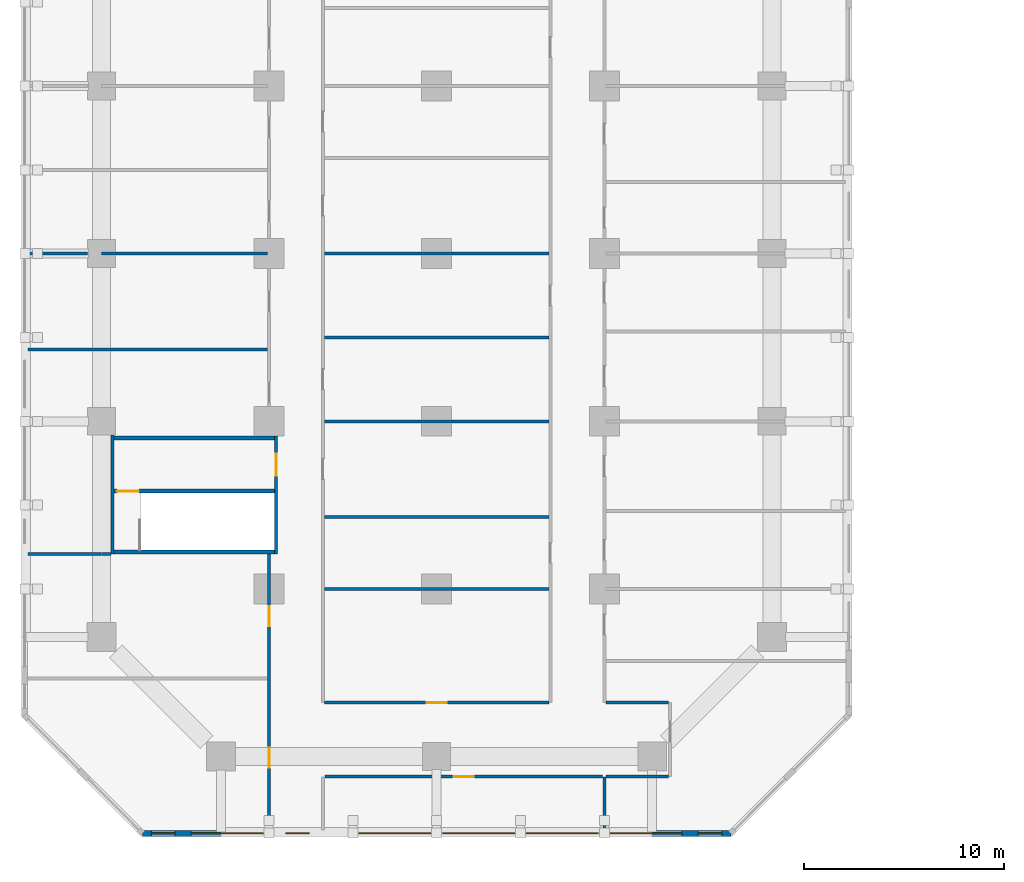
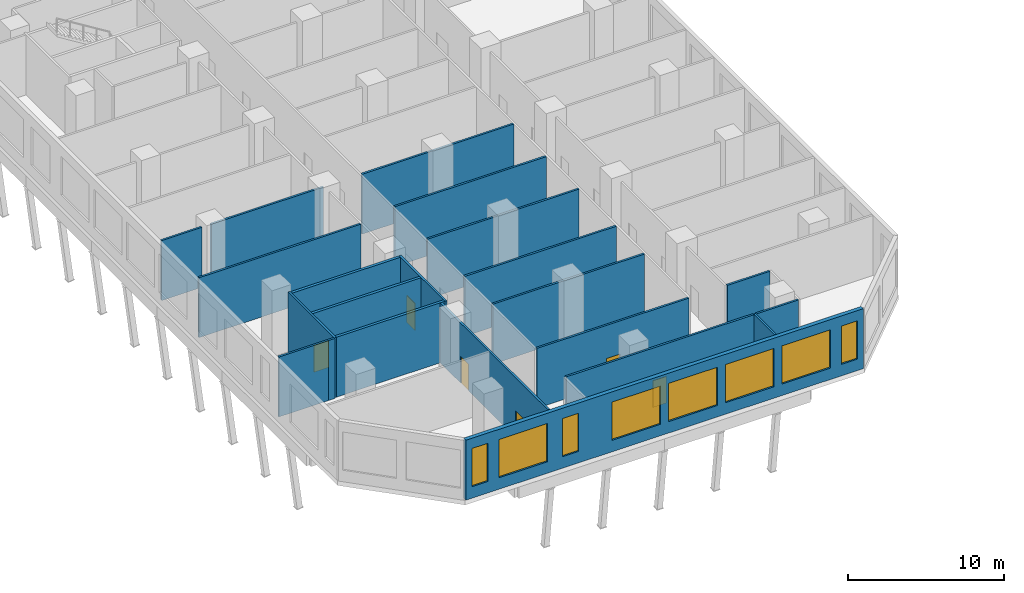
# One storey, part 4 of 25: 22 walls, 8 windows, 6 doors, 14 openings.
"""IFC4 building model written with IfcOpenShell, lengths in metres."""

import ifcopenshell
import ifcopenshell.guid

model = None  # the IFC model being written
_history = None  # IfcOwnerHistory: only IFC2X3 demands one
_inside = {}  # id of a spatial element -> (the spatial element, [elements in it])
_under = {}  # id of a project, library or spatial element -> (it, [spatial elements below it])
_declared = {}  # id of a project -> (the project, [libraries it declares])
_typed = {}  # id of a type object -> (the type object, [elements of that type])
_made_of = {}  # id of a material, layer set ... -> (it, [elements and type objects made of it])


def new_model(schema):
    """Start an empty IFC model of exactly this schema.

    Asked for "IFC4X3", IfcOpenShell would pick the latest addendum, in which some entities
    have other attributes; the version numbers below select the first issue.
    IFC2X3 requires an IfcOwnerHistory on every rooted entity: one is made here for all.
    """
    global model, _history
    if schema == "IFC4X3":
        model = ifcopenshell.file(schema_version=(4, 3, 0, 0))
    else:
        model = ifcopenshell.file(schema=schema)
    _inside.clear()
    _under.clear()
    _declared.clear()
    _typed.clear()
    _made_of.clear()
    _history = None
    if model.schema == "IFC2X3":
        org = make("IfcOrganization", Name="unknown")
        user = make(
            "IfcPersonAndOrganization",
            ThePerson=make("IfcPerson", FamilyName="unknown"),
            TheOrganization=org,
        )
        app = make(
            "IfcApplication",
            ApplicationDeveloper=org,
            Version="unknown",
            ApplicationFullName="unknown",
            ApplicationIdentifier="unknown",
        )
        _history = make(
            "IfcOwnerHistory",
            OwningUser=user,
            OwningApplication=app,
            ChangeAction="ADDED",
            CreationDate=0,
        )
    return model


def make(cls, **values):
    """One entity of the class cls with the attributes given. An attribute that is None is left unset."""
    return model.create_entity(
        cls, **{name: value for name, value in values.items() if value is not None}
    )


def rooted(cls, **values):
    """An entity with a GlobalId (a new one), such as an element, a storey or a relation."""
    return make(cls, GlobalId=ifcopenshell.guid.new(), OwnerHistory=_history, **values)


def si_unit(unit_type, name, prefix=None):
    """IfcSIUnit, for example si_unit("LENGTHUNIT", "METRE", prefix="MILLI")."""
    return make("IfcSIUnit", UnitType=unit_type, Prefix=prefix, Name=name)


def assignment(units):
    """IfcUnitAssignment: the units of a project."""
    return None if units is None else make("IfcUnitAssignment", Units=units)


def point(xyz):
    """IfcCartesianPoint."""
    return None if xyz is None else make("IfcCartesianPoint", Coordinates=xyz)


def direction(xyz):
    """IfcDirection."""
    return None if xyz is None else make("IfcDirection", DirectionRatios=xyz)


def frame(location, z_axis=None, x_axis=None):
    """IfcAxis2Placement3D, a coordinate frame: its origin and axes. An axis left out is left unset."""
    return make(
        "IfcAxis2Placement3D",
        Location=point(location),
        Axis=direction(z_axis),
        RefDirection=direction(x_axis),
    )


def frame_2d(location, x_axis=None):
    """IfcAxis2Placement2D, a coordinate frame in the plane: its origin and x axis."""
    return make(
        "IfcAxis2Placement2D", Location=point(location), RefDirection=direction(x_axis)
    )


def origin():
    """The frame at (0, 0, 0) with its axes left unset."""
    return frame((0.0, 0.0, 0.0))


def place(relative_to, where):
    """IfcLocalPlacement: puts the frame where relative to a parent placement (None: the world)."""
    return make(
        "IfcLocalPlacement", PlacementRelTo=relative_to, RelativePlacement=where
    )


def context(
    kind, dimensions, precision=None, world=None, true_north=None, identifier=None
):
    """IfcGeometricRepresentationContext, for example the 3D "Model" context."""
    return make(
        "IfcGeometricRepresentationContext",
        ContextIdentifier=identifier,
        ContextType=kind,
        CoordinateSpaceDimension=dimensions,
        Precision=precision,
        WorldCoordinateSystem=world,
        TrueNorth=true_north,
    )


def subcontext(parent, identifier, kind, view, scale=None):
    """IfcGeometricRepresentationSubContext, for example "Body" below "Model"."""
    return make(
        "IfcGeometricRepresentationSubContext",
        ContextIdentifier=identifier,
        ContextType=kind,
        ParentContext=parent,
        TargetScale=scale,
        TargetView=view,
    )


def project(units=None, contexts=None):
    """IfcProject with its units and contexts."""
    return rooted(
        "IfcProject",
        Name="project",
        RepresentationContexts=contexts,
        UnitsInContext=assignment(units),
    )


def spatial(cls, under=None, at=None, **own):
    """A site, building, storey or space (cls), placed at a placement, below another one or the project."""
    s = rooted(cls, ObjectPlacement=at, **own)
    if under is not None:
        _under.setdefault(under.id(), (under, []))[1].append(s)
    return s


def profile(cls, at=None, kind="AREA", **sizes):
    """A parametric profile (cls). Its sizes go by their IFC names, for example OverallWidth=200.0."""
    return make(cls, ProfileType=kind, Position=at, **sizes)


def rectangle(**sizes):
    """IfcRectangleProfileDef."""
    return profile("IfcRectangleProfileDef", **sizes)


def extrude(swept, where, along, depth):
    """IfcExtrudedAreaSolid: the profile swept, set in the frame where, extruded along a direction by depth."""
    return make(
        "IfcExtrudedAreaSolid",
        SweptArea=swept,
        Position=where,
        ExtrudedDirection=direction(along),
        Depth=depth,
    )


def shape(context_of_items, identifier, shape_type, items):
    """IfcShapeRepresentation: the items that make up one representation, for example the "Body"."""
    return make(
        "IfcShapeRepresentation",
        ContextOfItems=context_of_items,
        RepresentationIdentifier=identifier,
        RepresentationType=shape_type,
        Items=items,
    )


def material(Name=None, Category=None):
    """IfcMaterial."""
    return make("IfcMaterial", Name=Name, Category=Category)


def layer(
    of_material, thickness, ventilated=None, Name=None, Category=None, Priority=None
):
    """IfcMaterialLayer: one layer of a wall or slab, of a material (None: an air gap)."""
    return make(
        "IfcMaterialLayer",
        Material=of_material,
        LayerThickness=thickness,
        IsVentilated=ventilated,
        Name=Name,
        Category=Category,
        Priority=Priority,
    )


def layer_set(layers, Name=None):
    """IfcMaterialLayerSet."""
    return make("IfcMaterialLayerSet", MaterialLayers=layers, LayerSetName=Name)


def made_of(thing, what):
    """Note that an element or type object is made of a material, layer set ...; save() writes the relation."""
    if what is not None:
        _made_of.setdefault(what.id(), (what, []))[1].append(thing)
    return thing


def type_object(cls, material=None, **own):
    """A type object (cls), such as IfcWallType, which elements share."""
    return made_of(rooted(cls, **own), material)


def element(
    cls,
    number,
    at=None,
    inside=None,
    cuts=None,
    type_object=None,
    material=None,
    context=None,
    identifier="Body",
    shape_type=None,
    held_by="IfcProductDefinitionShape",
    body=None,
    shapes=None,
    **own,
):
    """One element of the class cls, such as IfcWall. Its Tag is "e" and its number.

    at: its placement. inside: the storey or other place that contains it. cuts: it is an
    opening in that element (IfcRelVoidsElement). A single representation is given by context,
    identifier, shape_type and body (its items); several are given by shapes. held_by: the class
    of the entity that holds the representations. save() writes the other relations.
    """
    e = rooted(cls, Tag="e%d" % number, ObjectPlacement=at, **own)
    if body is not None:
        shapes = [shape(context, identifier, shape_type, body)]
    if shapes is not None:
        e.Representation = make(held_by, Representations=shapes)
    if inside is not None:
        _inside.setdefault(inside.id(), (inside, []))[1].append(e)
    if cuts is not None:
        rooted(
            "IfcRelVoidsElement", RelatingBuildingElement=cuts, RelatedOpeningElement=e
        )
    if type_object is not None:
        _typed.setdefault(type_object.id(), (type_object, []))[1].append(e)
    return made_of(e, material)


def fill(opening, filler):
    """IfcRelFillsElement: the door or window that sits in an opening."""
    return rooted(
        "IfcRelFillsElement",
        RelatingOpeningElement=opening,
        RelatedBuildingElement=filler,
    )


def aggregate(whole, parts):
    """IfcRelAggregates: a whole, such as a stair, and the parts it consists of."""
    return rooted("IfcRelAggregates", RelatingObject=whole, RelatedObjects=parts)


def save(model, path):
    """Write the relations noted so far, then the file.

    IfcRelAggregates (storeys below a building ...), IfcRelContainedInSpatialStructure (elements
    in a storey), IfcRelDefinesByType, IfcRelAssociatesMaterial and IfcRelDeclares: one each for
    every whole, place, type object, material and project.
    """
    for whole, parts in _under.values():
        aggregate(whole, parts)
    for where, things in _inside.values():
        rooted(
            "IfcRelContainedInSpatialStructure",
            RelatedElements=things,
            RelatingStructure=where,
        )
    for kind, things in _typed.values():
        rooted("IfcRelDefinesByType", RelatedObjects=things, RelatingType=kind)
    for what, things in _made_of.values():
        rooted("IfcRelAssociatesMaterial", RelatedObjects=things, RelatingMaterial=what)
    for by, libraries in _declared.values():
        rooted("IfcRelDeclares", RelatingContext=by, RelatedDefinitions=libraries)
    model.write(path)


model = new_model("IFC4")

# Units and contexts
model_context = context("Model", 3, precision=1e-05, world=origin(), true_north=direction((0.0, 1.0)))
body_context = subcontext(model_context, "Body", "Model", "MODEL_VIEW")
ifc_project = project(units=[si_unit("LENGTHUNIT", "METRE"), si_unit("AREAUNIT", "SQUARE_METRE"), si_unit("VOLUMEUNIT", "CUBIC_METRE"), si_unit("PLANEANGLEUNIT", "RADIAN"), si_unit("MASSUNIT", "GRAM", prefix="KILO")], contexts=[model_context])

# Site, building, storey
site_placement = place(None, origin())
site = spatial("IfcSite", under=ifc_project, at=site_placement, CompositionType="ELEMENT")
building_placement = place(site_placement, origin())
building = spatial("IfcBuilding", under=site, at=building_placement, Name="Kawkab Arch Medical Tower", CompositionType="ELEMENT")
storey_placement = place(building_placement, frame((0.0, 0.0, 29.0)))
storey = spatial("IfcBuildingStorey", under=building, at=storey_placement, Name="L06", CompositionType="ELEMENT", Elevation=29.0)

# Wall, opening, door
ifc_material_1 = material(Name="Gypsum board partition on steel studs, mineral wool", Category="steel")
ifc_layer_1 = layer(ifc_material_1, 0.14990234375)
ifc_layer_set_1 = layer_set([ifc_layer_1], Name="Gypsum board partition on steel studs, mineral wool")
wall_type_1 = type_object("IfcWallType", Name="Partition 150", PredefinedType="PARTITIONING", material=ifc_layer_set_1)
wall_1_placement = place(storey_placement, frame((11.195068359375, -85.0, 0.0), z_axis=(0.0, 0.0, 1.0), x_axis=(1.0, 0.0, 0.0)))
wall_1 = element("IfcWall", 1, at=wall_1_placement, inside=storey, type_object=wall_type_1, Name="Partition 150 w002", PredefinedType="PARTITIONING", context=body_context, shape_type="SweptSolid", body=[
    extrude(rectangle(XDim=13.909912109375, YDim=0.14990234375, at=frame_2d((6.955078125, 0.0))), origin(), (0.0, 0.0, 1.0), 4.699951171875),
])
opening_1_placement = place(wall_1_placement, frame((6.455078125, 0.0, 0.0)))
opening_1 = element("IfcOpeningElement", 2, at=opening_1_placement, cuts=wall_1, Name="Opening P06-074", PredefinedType="OPENING", context=body_context, shape_type="SweptSolid", body=[
    extrude(rectangle(XDim=1.0, YDim=2.10009765625, at=frame_2d((0.5, 1.050048828125))), frame((0.0, 0.0849609375, 0.0), z_axis=(0.0, -1.0, 0.0), x_axis=(1.0, 0.0, 0.0)), (0.0, 0.0, 1.0), 0.169921875),
])
ifc_material_2 = material(Name="Hollow metal door leaf")
door_type_1 = type_object("IfcDoorType", Name="Single door 1000x2100 FD30S", OperationType="NOTDEFINED", PredefinedType="DOOR", material=ifc_material_2)
door_1_placement = place(opening_1_placement, origin())
door_1 = element("IfcDoor", 3, at=door_1_placement, inside=storey, type_object=door_type_1, Name="Door P06-074", OperationType="SINGLE_SWING_RIGHT", OverallHeight=2.10009765625, OverallWidth=1.0, PredefinedType="DOOR", context=body_context, shape_type="SweptSolid", body=[
    extrude(rectangle(XDim=1.0, YDim=2.10009765625, at=frame_2d((0.5, 1.050048828125))), frame((0.0, 0.02490234375, 0.0), z_axis=(0.0, -1.0, 0.0), x_axis=(1.0, 0.0, 0.0)), (0.0, 0.0, 1.0), 0.050048828125),
])
fill(opening_1, door_1)

# Wall
wall_2_placement = place(storey_placement, frame((25.27490234375, -85.0, 0.0), z_axis=(0.0, 0.0, 1.0), x_axis=(1.0, 0.0, 0.0)))
element("IfcWall", 4, at=wall_2_placement, inside=storey, type_object=wall_type_1, Name="Partition 150 w003", PredefinedType="PARTITIONING", context=body_context, shape_type="SweptSolid", body=[
    extrude(rectangle(XDim=3.150146484375, YDim=0.14990234375, at=frame_2d((1.5751953125, 0.0))), origin(), (0.0, 0.0, 1.0), 4.699951171875),
])

# Wall, opening, door
wall_3_placement = place(storey_placement, frame((11.175048828125, -81.300048828125, 0.0), z_axis=(0.0, 0.0, 1.0), x_axis=(1.0, 0.0, 0.0)))
wall_3 = element("IfcWall", 5, at=wall_3_placement, inside=storey, type_object=wall_type_1, Name="Partition 150 w004", PredefinedType="PARTITIONING", context=body_context, shape_type="SweptSolid", body=[
    extrude(rectangle(XDim=11.25, YDim=0.14990234375, at=frame_2d((5.625, 0.0))), origin(), (0.0, 0.0, 1.0), 4.699951171875),
])
opening_2_placement = place(wall_3_placement, frame((5.125, 0.0, 0.0)))
opening_2 = element("IfcOpeningElement", 6, at=opening_2_placement, cuts=wall_3, Name="Opening P06-064", PredefinedType="OPENING", context=body_context, shape_type="SweptSolid", body=[
    extrude(rectangle(XDim=1.0, YDim=2.10009765625, at=frame_2d((0.5, 1.050048828125))), frame((0.0, 0.0849609375, 0.0), z_axis=(0.0, -1.0, 0.0), x_axis=(1.0, 0.0, 0.0)), (0.0, 0.0, 1.0), 0.169921875),
])
door_2_placement = place(opening_2_placement, origin())
door_2 = element("IfcDoor", 7, at=door_2_placement, inside=storey, type_object=door_type_1, Name="Door P06-064", OperationType="SINGLE_SWING_RIGHT", OverallHeight=2.10009765625, OverallWidth=1.0, PredefinedType="DOOR", context=body_context, shape_type="SweptSolid", body=[
    extrude(rectangle(XDim=1.0, YDim=2.10009765625, at=frame_2d((0.5, 1.050048828125))), frame((0.0, 0.02490234375, 0.0), z_axis=(0.0, -1.0, 0.0), x_axis=(1.0, 0.0, 0.0)), (0.0, 0.0, 1.0), 0.050048828125),
])
fill(opening_2, door_2)

# Walls
wall_4_placement = place(storey_placement, frame((25.27490234375, -81.300048828125, 0.0), z_axis=(0.0, 0.0, 1.0), x_axis=(1.0, 0.0, 0.0)))
element("IfcWall", 8, at=wall_4_placement, inside=storey, type_object=wall_type_1, Name="Partition 150 w005", PredefinedType="PARTITIONING", context=body_context, shape_type="SweptSolid", body=[
    extrude(rectangle(XDim=3.150146484375, YDim=0.14990234375, at=frame_2d((1.5751953125, 0.0))), origin(), (0.0, 0.0, 1.0), 4.699951171875),
])
wall_5_placement = place(storey_placement, frame((11.175048828125, -75.60009765625, 0.0), z_axis=(0.0, 0.0, 1.0), x_axis=(1.0, 0.0, 0.0)))
element("IfcWall", 9, at=wall_5_placement, inside=storey, type_object=wall_type_1, Name="Partition 150 w008", PredefinedType="PARTITIONING", context=body_context, shape_type="SweptSolid", body=[
    extrude(rectangle(XDim=11.25, YDim=0.14990234375, at=frame_2d((5.625, 0.0))), origin(), (0.0, 0.0, 1.0), 4.699951171875),
])
wall_6_placement = place(storey_placement, frame((-3.679931640625, -73.85009765625, 0.0), z_axis=(0.0, 0.0, 1.0), x_axis=(1.0, 0.0, 0.0)))
element("IfcWall", 10, at=wall_6_placement, inside=storey, type_object=wall_type_1, Name="Partition 150 w010", PredefinedType="PARTITIONING", context=body_context, shape_type="SweptSolid", body=[
    extrude(rectangle(XDim=3.659912109375, YDim=0.14990234375, at=frame_2d((1.830078125, 0.0))), origin(), (0.0, 0.0, 1.0), 4.699951171875),
])
wall_7_placement = place(storey_placement, frame((0.0, -73.85009765625, 0.0), z_axis=(0.0, 0.0, 1.0), x_axis=(1.0, 0.0, 0.0)))
element("IfcWall", 11, at=wall_7_placement, inside=storey, type_object=wall_type_1, Name="Partition 150 w011", PredefinedType="PARTITIONING", context=body_context, shape_type="SweptSolid", body=[
    extrude(rectangle(XDim=0.472900390625, YDim=0.14990234375, at=frame_2d((0.236328125, 0.0))), origin(), (0.0, 0.0, 1.0), 4.699951171875),
])
for number, where, z_axis, x_axis, name in (
    (12, (11.175048828125, -72.0, 0.0), (0.0, 0.0, 1.0), (1.0, 0.0, 0.0), "Partition 150 w012"),
    (13, (11.175048828125, -67.199951171875, 0.0), (0.0, 0.0, 1.0), (1.0, 0.0, 0.0), "Partition 150 w014"),
):
    element("IfcWall", number, at=place(storey_placement, frame(where, z_axis=z_axis, x_axis=x_axis)), inside=storey, type_object=wall_type_1, Name=name, PredefinedType="PARTITIONING", context=body_context, shape_type="SweptSolid", body=[
        extrude(rectangle(XDim=11.25, YDim=0.14990234375, at=frame_2d((5.625, 0.0))), origin(), (0.0, 0.0, 1.0), 4.699951171875),
    ])
wall_8_placement = place(storey_placement, frame((-3.679931640625, -63.60009765625, 0.0), z_axis=(0.0, 0.0, 1.0), x_axis=(1.0, 0.0, 0.0)))
element("IfcWall", 14, at=wall_8_placement, inside=storey, type_object=wall_type_1, Name="Partition 150 w016", PredefinedType="PARTITIONING", context=body_context, shape_type="SweptSolid", body=[
    extrude(rectangle(XDim=12.0048828125, YDim=0.14990234375, at=frame_2d((6.00244140625, 0.0))), origin(), (0.0, 0.0, 1.0), 4.699951171875),
])
wall_9_placement = place(storey_placement, frame((11.175048828125, -63.0, 0.0), z_axis=(0.0, 0.0, 1.0), x_axis=(1.0, 0.0, 0.0)))
element("IfcWall", 15, at=wall_9_placement, inside=storey, type_object=wall_type_1, Name="Partition 150 w017", PredefinedType="PARTITIONING", context=body_context, shape_type="SweptSolid", body=[
    extrude(rectangle(XDim=11.25, YDim=0.14990234375, at=frame_2d((5.625, 0.0))), origin(), (0.0, 0.0, 1.0), 4.699951171875),
])
wall_10_placement = place(storey_placement, frame((-3.679931640625, -58.800048828125, 0.0), z_axis=(0.0, 0.0, 1.0), x_axis=(1.0, 0.0, 0.0)))
element("IfcWall", 16, at=wall_10_placement, inside=storey, type_object=wall_type_1, Name="Partition 150 w019", PredefinedType="PARTITIONING", context=body_context, shape_type="SweptSolid", body=[
    extrude(rectangle(XDim=2.97998046875, YDim=0.14990234375, at=frame_2d((1.489990234375, 0.0))), origin(), (0.0, 0.0, 1.0), 4.699951171875),
])
wall_11_placement = place(storey_placement, frame((0.001953125, -58.800048828125, 0.0), z_axis=(0.0, 0.0, 1.0), x_axis=(1.0, 0.0, 0.0)))
element("IfcWall", 17, at=wall_11_placement, inside=storey, type_object=wall_type_1, Name="Partition 150 w020", PredefinedType="PARTITIONING", context=body_context, shape_type="SweptSolid", body=[
    extrude(rectangle(XDim=8.322998046875, YDim=0.14990234375, at=frame_2d((4.16162109375, 0.0))), origin(), (0.0, 0.0, 1.0), 4.699951171875),
])
wall_12_placement = place(storey_placement, frame((11.175048828125, -58.800048828125, 0.0), z_axis=(0.0, 0.0, 1.0), x_axis=(1.0, 0.0, 0.0)))
element("IfcWall", 18, at=wall_12_placement, inside=storey, type_object=wall_type_1, Name="Partition 150 w021", PredefinedType="PARTITIONING", context=body_context, shape_type="SweptSolid", body=[
    extrude(rectangle(XDim=11.25, YDim=0.14990234375, at=frame_2d((5.625, 0.0))), origin(), (0.0, 0.0, 1.0), 4.699951171875),
])

# Wall, openings, doors
wall_13_placement = place(storey_placement, frame((8.39990234375, -87.679931640625, 0.0), z_axis=(0.0, 0.0, 1.0), x_axis=(0.0, 1.0, 0.0)))
wall_13 = element("IfcWall", 19, at=wall_13_placement, inside=storey, type_object=wall_type_1, Name="Partition 150 w061", PredefinedType="PARTITIONING", context=body_context, shape_type="SweptSolid", body=[
    extrude(rectangle(XDim=13.829833984375, YDim=0.14990234375, at=frame_2d((6.9150390625, 0.0))), origin(), (0.0, 0.0, 1.0), 4.699951171875),
])
opening_3_placement = place(wall_13_placement, frame((10.205078125, 0.0, 0.0)))
opening_3 = element("IfcOpeningElement", 20, at=opening_3_placement, cuts=wall_13, Name="Opening P06-052", PredefinedType="OPENING", context=body_context, shape_type="SweptSolid", body=[
    extrude(rectangle(XDim=1.0, YDim=2.10009765625, at=frame_2d((0.5, 1.050048828125))), frame((0.0, 0.0849609375, 0.0), z_axis=(0.0, -1.0, 0.0), x_axis=(1.0, 0.0, 0.0)), (0.0, 0.0, 1.0), 0.169921875),
])
opening_4_placement = place(wall_13_placement, frame((3.1298828125, 0.0, 0.0)))
opening_4 = element("IfcOpeningElement", 21, at=opening_4_placement, cuts=wall_13, Name="Opening P06-053", PredefinedType="OPENING", context=body_context, shape_type="SweptSolid", body=[
    extrude(rectangle(XDim=1.0, YDim=2.10009765625, at=frame_2d((0.5, 1.050048828125))), frame((0.0, 0.0849609375, 0.0), z_axis=(0.0, -1.0, 0.0), x_axis=(1.0, 0.0, 0.0)), (0.0, 0.0, 1.0), 0.169921875),
])
door_3_placement = place(opening_3_placement, origin())
door_3 = element("IfcDoor", 22, at=door_3_placement, inside=storey, type_object=door_type_1, Name="Door P06-052", OperationType="SINGLE_SWING_RIGHT", OverallHeight=2.10009765625, OverallWidth=1.0, PredefinedType="DOOR", context=body_context, shape_type="SweptSolid", body=[
    extrude(rectangle(XDim=1.0, YDim=2.10009765625, at=frame_2d((0.5, 1.050048828125))), frame((0.0, 0.02490234375, 0.0), z_axis=(0.0, -1.0, 0.0), x_axis=(1.0, 0.0, 0.0)), (0.0, 0.0, 1.0), 0.050048828125),
])
fill(opening_3, door_3)
door_4_placement = place(opening_4_placement, origin())
door_4 = element("IfcDoor", 23, at=door_4_placement, inside=storey, type_object=door_type_1, Name="Door P06-053", OperationType="SINGLE_SWING_LEFT", OverallHeight=2.10009765625, OverallWidth=1.0, PredefinedType="DOOR", context=body_context, shape_type="SweptSolid", body=[
    extrude(rectangle(XDim=1.0, YDim=2.10009765625, at=frame_2d((0.5, 1.050048828125))), frame((0.0, 0.02490234375, 0.0), z_axis=(0.0, -1.0, 0.0), x_axis=(1.0, 0.0, 0.0)), (0.0, 0.0, 1.0), 0.050048828125),
])
fill(opening_4, door_4)

# Wall
wall_14_placement = place(storey_placement, frame((25.199951171875, -87.679931640625, 0.0), z_axis=(0.0, 0.0, 1.0), x_axis=(0.0, 1.0, 0.0)))
element("IfcWall", 24, at=wall_14_placement, inside=storey, type_object=wall_type_1, Name="Partition 150 w068", PredefinedType="PARTITIONING", context=body_context, shape_type="SweptSolid", body=[
    extrude(rectangle(XDim=2.659912109375, YDim=0.14990234375, at=frame_2d((1.330078125, 0.0))), origin(), (0.0, 0.0, 1.0), 4.699951171875),
])

# Wall, openings, windows
ifc_material_3 = material(Name="Bronze clad insulated wall panel")
ifc_layer_2 = layer(ifc_material_3, 0.300048828125)
ifc_layer_set_2 = layer_set([ifc_layer_2], Name="Bronze clad insulated wall panel")
wall_type_2 = type_object("IfcWallType", Name="Podium external wall 300", PredefinedType="SOLIDWALL", material=ifc_layer_set_2)
wall_15_placement = place(storey_placement, frame((2.06201171875, -87.85009765625, 0.0), z_axis=(0.0, 0.0, 1.0), x_axis=(1.0, 0.0, 0.0)))
wall_15 = element("IfcWall", 25, at=wall_15_placement, inside=storey, type_object=wall_type_2, Name="Podium external wall L06 R03", PredefinedType="SOLIDWALL", context=body_context, shape_type="SweptSolid", body=[
    extrude(rectangle(XDim=29.475830078125, YDim=0.300048828125, at=frame_2d((14.73779296875, 0.0))), origin(), (0.0, 0.0, 1.0), 4.699951171875),
])
opening_5_placement = place(wall_15_placement, frame((0.43798828125, 0.0, 0.89990234375)))
opening_5 = element("IfcOpeningElement", 26, at=opening_5_placement, cuts=wall_15, Name="Opening PBW120-30-S9", PredefinedType="OPENING", context=body_context, shape_type="SweptSolid", body=[
    extrude(rectangle(XDim=1.199951171875, YDim=3.0, at=frame_2d((0.60009765625, 1.5))), frame((0.0, 0.159912109375, 0.0), z_axis=(0.0, -1.0, 0.0), x_axis=(1.0, 0.0, 0.0)), (0.0, 0.0, 1.0), 0.320068359375),
])
opening_6_placement = place(wall_15_placement, frame((2.43798828125, 0.0, 0.89990234375)))
opening_6 = element("IfcOpeningElement", 27, at=opening_6_placement, cuts=wall_15, Name="Opening PBW360-30-S9", PredefinedType="OPENING", context=body_context, shape_type="SweptSolid", body=[
    extrude(rectangle(XDim=3.60009765625, YDim=3.0, at=frame_2d((1.800048828125, 1.5))), frame((0.0, 0.159912109375, 0.0), z_axis=(0.0, -1.0, 0.0), x_axis=(1.0, 0.0, 0.0)), (0.0, 0.0, 1.0), 0.320068359375),
])
opening_7_placement = place(wall_15_placement, frame((7.162841796875, 0.0, 0.89990234375)))
opening_7 = element("IfcOpeningElement", 28, at=opening_7_placement, cuts=wall_15, Name="Opening PBW120-30-S9", PredefinedType="OPENING", context=body_context, shape_type="SweptSolid", body=[
    extrude(rectangle(XDim=1.199951171875, YDim=3.0, at=frame_2d((0.60009765625, 1.5))), frame((0.0, 0.159912109375, 0.0), z_axis=(0.0, -1.0, 0.0), x_axis=(1.0, 0.0, 0.0)), (0.0, 0.0, 1.0), 0.320068359375),
])
opening_8_placement = place(wall_15_placement, frame((10.837890625, 0.0, 0.89990234375)))
opening_8 = element("IfcOpeningElement", 29, at=opening_8_placement, cuts=wall_15, Name="Opening PBW360-30-S9", PredefinedType="OPENING", context=body_context, shape_type="SweptSolid", body=[
    extrude(rectangle(XDim=3.60009765625, YDim=3.0, at=frame_2d((1.800048828125, 1.5))), frame((0.0, 0.159912109375, 0.0), z_axis=(0.0, -1.0, 0.0), x_axis=(1.0, 0.0, 0.0)), (0.0, 0.0, 1.0), 0.320068359375),
])
opening_9_placement = place(wall_15_placement, frame((15.037841796875, 0.0, 0.89990234375)))
opening_9 = element("IfcOpeningElement", 30, at=opening_9_placement, cuts=wall_15, Name="Opening PBW360-30-S9", PredefinedType="OPENING", context=body_context, shape_type="SweptSolid", body=[
    extrude(rectangle(XDim=3.60009765625, YDim=3.0, at=frame_2d((1.800048828125, 1.5))), frame((0.0, 0.159912109375, 0.0), z_axis=(0.0, -1.0, 0.0), x_axis=(1.0, 0.0, 0.0)), (0.0, 0.0, 1.0), 0.320068359375),
])
opening_10_placement = place(wall_15_placement, frame((19.23779296875, 0.0, 0.89990234375)))
opening_10 = element("IfcOpeningElement", 31, at=opening_10_placement, cuts=wall_15, Name="Opening PBW360-30-S9", PredefinedType="OPENING", context=body_context, shape_type="SweptSolid", body=[
    extrude(rectangle(XDim=3.60009765625, YDim=3.0, at=frame_2d((1.800048828125, 1.5))), frame((0.0, 0.159912109375, 0.0), z_axis=(0.0, -1.0, 0.0), x_axis=(1.0, 0.0, 0.0)), (0.0, 0.0, 1.0), 0.320068359375),
])
opening_11_placement = place(wall_15_placement, frame((23.43798828125, 0.0, 0.89990234375)))
opening_11 = element("IfcOpeningElement", 32, at=opening_11_placement, cuts=wall_15, Name="Opening PBW360-30-S9", PredefinedType="OPENING", context=body_context, shape_type="SweptSolid", body=[
    extrude(rectangle(XDim=3.60009765625, YDim=3.0, at=frame_2d((1.800048828125, 1.5))), frame((0.0, 0.159912109375, 0.0), z_axis=(0.0, -1.0, 0.0), x_axis=(1.0, 0.0, 0.0)), (0.0, 0.0, 1.0), 0.320068359375),
])
opening_12_placement = place(wall_15_placement, frame((27.837890625, 0.0, 0.89990234375)))
opening_12 = element("IfcOpeningElement", 33, at=opening_12_placement, cuts=wall_15, Name="Opening PBW120-30-S9", PredefinedType="OPENING", context=body_context, shape_type="SweptSolid", body=[
    extrude(rectangle(XDim=1.199951171875, YDim=3.0, at=frame_2d((0.60009765625, 1.5))), frame((0.0, 0.159912109375, 0.0), z_axis=(0.0, -1.0, 0.0), x_axis=(1.0, 0.0, 0.0)), (0.0, 0.0, 1.0), 0.320068359375),
])
ifc_material_4 = material(Name="Bronze anodised aluminium louvred window", Category="aluminium")
window_type_1 = type_object("IfcWindowType", Name="Podium band window 1200 x 3000 sill 900", PartitioningType="DOUBLE_PANEL_VERTICAL", PredefinedType="WINDOW", material=ifc_material_4)
window_1_placement = place(opening_5_placement, origin())
window_1 = element("IfcWindow", 34, at=window_1_placement, inside=storey, type_object=window_type_1, Name="Band window L06 R03.1", OverallHeight=3.0, OverallWidth=1.199951171875, PartitioningType="SINGLE_PANEL", PredefinedType="WINDOW", context=body_context, shape_type="SweptSolid", body=[
    extrude(rectangle(XDim=1.199951171875, YDim=3.0, at=frame_2d((0.60009765625, 1.5))), frame((0.0, 0.030029296875, 0.0), z_axis=(0.0, -1.0, 0.0), x_axis=(1.0, 0.0, 0.0)), (0.0, 0.0, 1.0), 0.06005859375),
])
fill(opening_5, window_1)
window_2_placement = place(opening_7_placement, origin())
window_2 = element("IfcWindow", 35, at=window_2_placement, inside=storey, type_object=window_type_1, Name="Band window L06 R03.3", OverallHeight=3.0, OverallWidth=1.199951171875, PartitioningType="SINGLE_PANEL", PredefinedType="WINDOW", context=body_context, shape_type="SweptSolid", body=[
    extrude(rectangle(XDim=1.199951171875, YDim=3.0, at=frame_2d((0.60009765625, 1.5))), frame((0.0, 0.030029296875, 0.0), z_axis=(0.0, -1.0, 0.0), x_axis=(1.0, 0.0, 0.0)), (0.0, 0.0, 1.0), 0.06005859375),
])
fill(opening_7, window_2)
window_3_placement = place(opening_12_placement, origin())
window_3 = element("IfcWindow", 36, at=window_3_placement, inside=storey, type_object=window_type_1, Name="Band window L06 R03.8", OverallHeight=3.0, OverallWidth=1.199951171875, PartitioningType="SINGLE_PANEL", PredefinedType="WINDOW", context=body_context, shape_type="SweptSolid", body=[
    extrude(rectangle(XDim=1.199951171875, YDim=3.0, at=frame_2d((0.60009765625, 1.5))), frame((0.0, 0.030029296875, 0.0), z_axis=(0.0, -1.0, 0.0), x_axis=(1.0, 0.0, 0.0)), (0.0, 0.0, 1.0), 0.06005859375),
])
fill(opening_12, window_3)
ifc_material_5 = material(Name="Bronze anodised aluminium louvred window", Category="aluminium")
window_type_2 = type_object("IfcWindowType", Name="Podium band window 3600 x 3000 sill 900", PartitioningType="DOUBLE_PANEL_VERTICAL", PredefinedType="WINDOW", material=ifc_material_5)
window_4_placement = place(opening_6_placement, origin())
window_4 = element("IfcWindow", 37, at=window_4_placement, inside=storey, type_object=window_type_2, Name="Band window L06 R03.2", OverallHeight=3.0, OverallWidth=3.60009765625, PartitioningType="SINGLE_PANEL", PredefinedType="WINDOW", context=body_context, shape_type="SweptSolid", body=[
    extrude(rectangle(XDim=3.60009765625, YDim=3.0, at=frame_2d((1.800048828125, 1.5))), frame((0.0, 0.030029296875, 0.0), z_axis=(0.0, -1.0, 0.0), x_axis=(1.0, 0.0, 0.0)), (0.0, 0.0, 1.0), 0.06005859375),
])
fill(opening_6, window_4)
window_5_placement = place(opening_8_placement, origin())
window_5 = element("IfcWindow", 38, at=window_5_placement, inside=storey, type_object=window_type_2, Name="Band window L06 R03.4", OverallHeight=3.0, OverallWidth=3.60009765625, PartitioningType="SINGLE_PANEL", PredefinedType="WINDOW", context=body_context, shape_type="SweptSolid", body=[
    extrude(rectangle(XDim=3.60009765625, YDim=3.0, at=frame_2d((1.800048828125, 1.5))), frame((0.0, 0.030029296875, 0.0), z_axis=(0.0, -1.0, 0.0), x_axis=(1.0, 0.0, 0.0)), (0.0, 0.0, 1.0), 0.06005859375),
])
fill(opening_8, window_5)
window_6_placement = place(opening_9_placement, origin())
window_6 = element("IfcWindow", 39, at=window_6_placement, inside=storey, type_object=window_type_2, Name="Band window L06 R03.5", OverallHeight=3.0, OverallWidth=3.60009765625, PartitioningType="SINGLE_PANEL", PredefinedType="WINDOW", context=body_context, shape_type="SweptSolid", body=[
    extrude(rectangle(XDim=3.60009765625, YDim=3.0, at=frame_2d((1.800048828125, 1.5))), frame((0.0, 0.030029296875, 0.0), z_axis=(0.0, -1.0, 0.0), x_axis=(1.0, 0.0, 0.0)), (0.0, 0.0, 1.0), 0.06005859375),
])
fill(opening_9, window_6)
window_7_placement = place(opening_10_placement, origin())
window_7 = element("IfcWindow", 40, at=window_7_placement, inside=storey, type_object=window_type_2, Name="Band window L06 R03.6", OverallHeight=3.0, OverallWidth=3.60009765625, PartitioningType="SINGLE_PANEL", PredefinedType="WINDOW", context=body_context, shape_type="SweptSolid", body=[
    extrude(rectangle(XDim=3.60009765625, YDim=3.0, at=frame_2d((1.800048828125, 1.5))), frame((0.0, 0.030029296875, 0.0), z_axis=(0.0, -1.0, 0.0), x_axis=(1.0, 0.0, 0.0)), (0.0, 0.0, 1.0), 0.06005859375),
])
fill(opening_10, window_7)
window_8_placement = place(opening_11_placement, origin())
window_8 = element("IfcWindow", 41, at=window_8_placement, inside=storey, type_object=window_type_2, Name="Band window L06 R03.7", OverallHeight=3.0, OverallWidth=3.60009765625, PartitioningType="SINGLE_PANEL", PredefinedType="WINDOW", context=body_context, shape_type="SweptSolid", body=[
    extrude(rectangle(XDim=3.60009765625, YDim=3.0, at=frame_2d((1.800048828125, 1.5))), frame((0.0, 0.030029296875, 0.0), z_axis=(0.0, -1.0, 0.0), x_axis=(1.0, 0.0, 0.0)), (0.0, 0.0, 1.0), 0.06005859375),
])
fill(opening_11, window_8)

# Wall
ifc_material_6 = material(Name="Concrete C50/60", Category="concrete")
ifc_layer_3 = layer(ifc_material_6, 0.14990234375)
ifc_layer_set_3 = layer_set([ifc_layer_3], Name="Concrete C50/60")
wall_type_3 = type_object("IfcWallType", Name="Stair enclosure wall 150 C50/60", PredefinedType="SHEAR", material=ifc_layer_set_3)
wall_16_placement = place(storey_placement, frame((0.550048828125, -73.85009765625, 0.0), z_axis=(0.0, 0.0, 1.0), x_axis=(0.0, 1.0, 0.0)))
element("IfcWall", 42, at=wall_16_placement, inside=storey, type_object=wall_type_3, Name="L06 stair enclosure wall", PredefinedType="SHEAR", context=body_context, shape_type="SweptSolid", body=[
    extrude(rectangle(XDim=5.9501953125, YDim=0.14990234375, at=frame_2d((2.97509765625, 0.0))), origin(), (0.0, 0.0, 1.0), 4.699951171875),
])

# Wall, opening, door
wall_17_placement = place(storey_placement, frame((8.75, -73.85009765625, 0.0), z_axis=(0.0, 0.0, 1.0), x_axis=(0.0, 1.0, 0.0)))
wall_17 = element("IfcWall", 43, at=wall_17_placement, inside=storey, type_object=wall_type_3, Name="L06 stair enclosure wall", PredefinedType="SHEAR", context=body_context, shape_type="SweptSolid", body=[
    extrude(rectangle(XDim=5.900146484375, YDim=0.14990234375, at=frame_2d((2.9501953125, 0.0))), origin(), (0.0, 0.0, 1.0), 4.699951171875),
])
opening_13_placement = place(wall_17_placement, frame((3.925048828125, 0.0, 0.0)))
opening_13 = element("IfcOpeningElement", 44, at=opening_13_placement, cuts=wall_17, Name="Opening SD", PredefinedType="OPENING", context=body_context, shape_type="SweptSolid", body=[
    extrude(rectangle(XDim=1.10009765625, YDim=2.10009765625, at=frame_2d((0.550048828125, 1.050048828125))), frame((0.0, 0.0849609375, 0.0), z_axis=(0.0, -1.0, 0.0), x_axis=(1.0, 0.0, 0.0)), (0.0, 0.0, 1.0), 0.169921875),
])
ifc_material_7 = material(Name="Hollow metal fire door leaf")
door_type_2 = type_object("IfcDoorType", Name="Exit stair door 1100", OperationType="SINGLE_SWING_LEFT", PredefinedType="DOOR", material=ifc_material_7)
door_5_placement = place(opening_13_placement, origin())
door_5 = element("IfcDoor", 45, at=door_5_placement, inside=storey, type_object=door_type_2, Name="L06 Exit stair ST10 lobby door", OperationType="SINGLE_SWING_LEFT", OverallHeight=2.10009765625, OverallWidth=1.10009765625, PredefinedType="DOOR", context=body_context, shape_type="SweptSolid", body=[
    extrude(rectangle(XDim=1.10009765625, YDim=2.10009765625, at=frame_2d((0.550048828125, 1.050048828125))), frame((0.0, 0.02490234375, 0.0), z_axis=(0.0, -1.0, 0.0), x_axis=(1.0, 0.0, 0.0)), (0.0, 0.0, 1.0), 0.050048828125),
])
fill(opening_13, door_5)

# Wall
ifc_material_8 = material(Name="Concrete C50/60", Category="concrete")
ifc_layer_4 = layer(ifc_material_8, 0.199951171875)
ifc_layer_set_4 = layer_set([ifc_layer_4], Name="Concrete C50/60")
wall_type_4 = type_object("IfcWallType", Name="Stair enclosure wall 200 C50/60", PredefinedType="SHEAR", material=ifc_layer_set_4)
wall_18_placement = place(storey_placement, frame((0.625, -73.75, 0.0), z_axis=(0.0, 0.0, 1.0), x_axis=(1.0, 0.0, 0.0)))
element("IfcWall", 46, at=wall_18_placement, inside=storey, type_object=wall_type_4, Name="L06 stair enclosure wall", PredefinedType="SHEAR", context=body_context, shape_type="SweptSolid", body=[
    extrude(rectangle(XDim=8.050048828125, YDim=0.199951171875, at=frame_2d((4.02490234375, 0.0))), origin(), (0.0, 0.0, 1.0), 4.699951171875),
])

# Wall, opening, door
wall_19_placement = place(storey_placement, frame((0.625, -70.699951171875, 0.0), z_axis=(0.0, 0.0, 1.0), x_axis=(1.0, 0.0, 0.0)))
wall_19 = element("IfcWall", 47, at=wall_19_placement, inside=storey, type_object=wall_type_4, Name="L06 stair enclosure wall", PredefinedType="SHEAR", context=body_context, shape_type="SweptSolid", body=[
    extrude(rectangle(XDim=8.050048828125, YDim=0.199951171875, at=frame_2d((4.02490234375, 0.0))), origin(), (0.0, 0.0, 1.0), 4.699951171875),
])
opening_14_placement = place(wall_19_placement, frame((0.14990234375, 0.0, 0.0)))
opening_14 = element("IfcOpeningElement", 48, at=opening_14_placement, cuts=wall_19, Name="Opening SD", PredefinedType="OPENING", context=body_context, shape_type="SweptSolid", body=[
    extrude(rectangle(XDim=1.10009765625, YDim=2.10009765625, at=frame_2d((0.550048828125, 1.050048828125))), frame((0.0, 0.10986328125, 0.0), z_axis=(0.0, -1.0, 0.0), x_axis=(1.0, 0.0, 0.0)), (0.0, 0.0, 1.0), 0.219970703125),
])
door_6_placement = place(opening_14_placement, frame((1.10009765625, 0.0, 0.0), z_axis=(0.0, 0.0, 1.0), x_axis=(-1.0, 0.0, 0.0)))
door_6 = element("IfcDoor", 49, at=door_6_placement, inside=storey, type_object=door_type_2, Name="L06 Exit stair ST10 door", OperationType="SINGLE_SWING_LEFT", OverallHeight=2.10009765625, OverallWidth=1.10009765625, PredefinedType="DOOR", context=body_context, shape_type="SweptSolid", body=[
    extrude(rectangle(XDim=1.10009765625, YDim=2.10009765625, at=frame_2d((0.550048828125, 1.050048828125))), frame((0.0, 0.02490234375, 0.0), z_axis=(0.0, -1.0, 0.0), x_axis=(1.0, 0.0, 0.0)), (0.0, 0.0, 1.0), 0.050048828125),
])
fill(opening_14, door_6)

# Wall
wall_20_placement = place(storey_placement, frame((0.625, -68.050048828125, 0.0), z_axis=(0.0, 0.0, 1.0), x_axis=(1.0, 0.0, 0.0)))
element("IfcWall", 50, at=wall_20_placement, inside=storey, type_object=wall_type_4, Name="L06 stair enclosure wall", PredefinedType="SHEAR", context=body_context, shape_type="SweptSolid", body=[
    extrude(rectangle(XDim=8.050048828125, YDim=0.199951171875, at=frame_2d((4.02490234375, 0.0))), origin(), (0.0, 0.0, 1.0), 4.699951171875),
])

save(model, "model.ifc")
